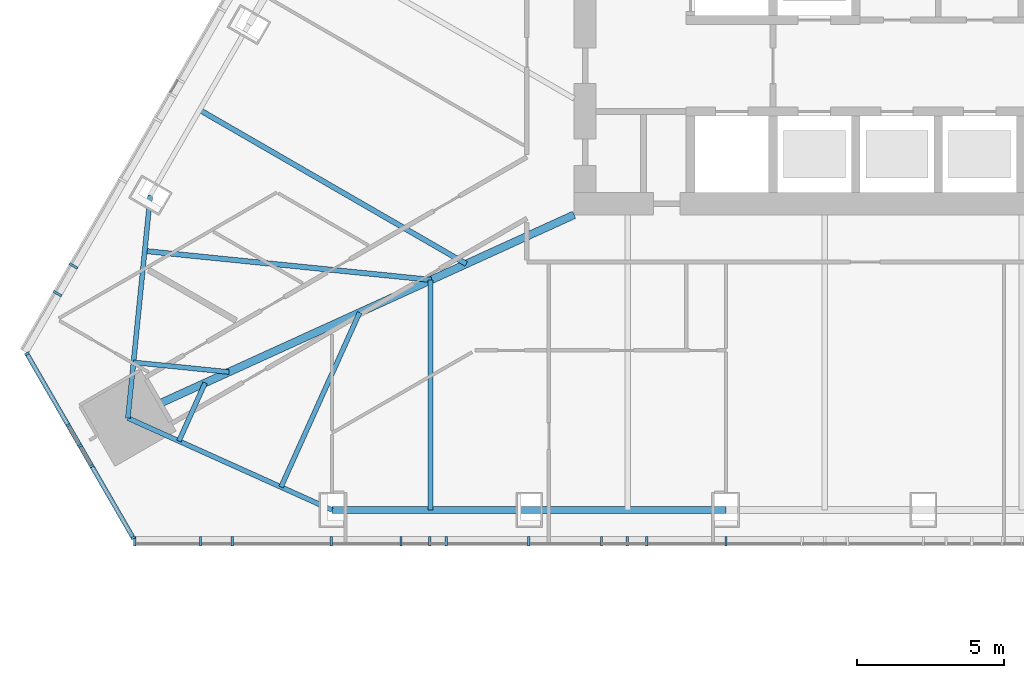
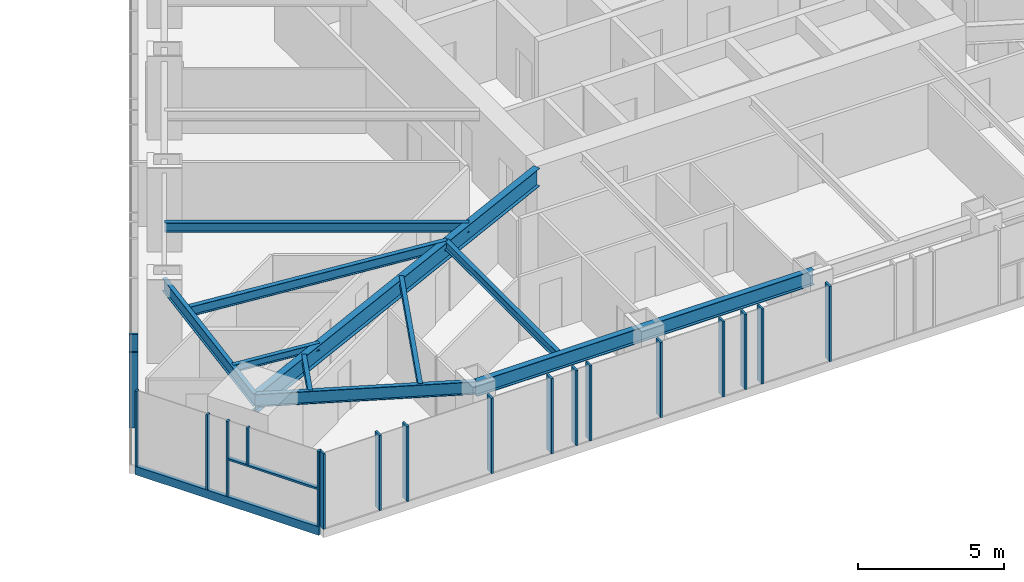
# One storey, part 2 of 24: 21 members, 10 beams, 3 elements without a shape of their own.
"""IFC4 building model written with IfcOpenShell, lengths in metres."""

from ifc_helpers import new_model, si_unit, direction, frame, origin, origin_2d, place, context, subcontext, project, spatial, rectangle, i_section, extrude, material, layer, layer_set, material_profile, profile_set, type_object, element, aggregate, save


model = new_model("IFC4")

# Units and contexts
model_context = context("Model", 3, precision=1e-05, world=origin(), true_north=direction((0.0, 1.0)))
body_context = subcontext(model_context, "Body", "Model", "MODEL_VIEW")
ifc_project = project(units=[si_unit("LENGTHUNIT", "METRE"), si_unit("AREAUNIT", "SQUARE_METRE"), si_unit("VOLUMEUNIT", "CUBIC_METRE"), si_unit("PLANEANGLEUNIT", "RADIAN"), si_unit("MASSUNIT", "GRAM", prefix="KILO")], contexts=[model_context])

# Site, building, storey
site_placement = place(None, origin())
site = spatial("IfcSite", under=ifc_project, at=site_placement, CompositionType="ELEMENT")
building_placement = place(site_placement, origin())
building = spatial("IfcBuilding", under=site, at=building_placement, Name="Firuza Gate Tower and Library", CompositionType="ELEMENT")
storey_placement = place(building_placement, frame((0.0, 0.0, 267.10009765625)))
storey = spatial("IfcBuildingStorey", under=building, at=storey_placement, Name="L63", CompositionType="ELEMENT", Elevation=267.10009765625)

# Curtain wall, members
ifc_material_1 = material(Name="Aluminium 6063-T6", Category="aluminium")
ifc_layer_1 = layer(ifc_material_1, 0.14990234375)
ifc_layer_set_1 = layer_set([ifc_layer_1], Name="Corner curtain wall, chamfers")
curtain_wall_type_1 = type_object("IfcCurtainWallType", Name="Corner curtain wall, chamfers", PredefinedType="NOTDEFINED", material=ifc_layer_set_1)
placement = place(storey_placement, origin())
curtain_wall_1 = element("IfcCurtainWall", 1, at=placement, inside=storey, type_object=curtain_wall_type_1, Name="CW4 L63 SW corner", PredefinedType="NOTDEFINED")
ifc_material_2 = material(Name="Aluminium 6063-T6", Category="aluminium")
ifc_material_profile_1 = material_profile(ifc_material_2, rectangle(XDim=0.14990234375, YDim=0.080078125, at=origin_2d()))
ifc_profile_set_1 = profile_set([ifc_material_profile_1], Name="Aluminium 6063-T6")
member_type_1 = type_object("IfcMemberType", Name="Curtain wall mullion 80x150", PredefinedType="MULLION", material=ifc_profile_set_1)
member_1_placement = place(storey_placement, frame((47.944091796875, 63.5400390625, 0.14990234375), z_axis=(0.0, 0.0, 1.0), x_axis=(0.866025403784, 0.5, 0.0)))
member_1 = element("IfcMember", 2, at=member_1_placement, type_object=member_type_1, Name="Mullion", PredefinedType="MULLION", context=body_context, shape_type="SweptSolid", body=[
    extrude(rectangle(XDim=0.14990234375, YDim=0.080078125, at=origin_2d()), origin(), (0.0, 0.0, 1.0), 3.14990234375),
])
member_2_placement = place(storey_placement, frame((49.74560546875, 60.41943359375, 0.14990234375), z_axis=(0.0, 0.0, 1.0), x_axis=(0.866025403784, 0.5, 0.0)))
member_2 = element("IfcMember", 3, at=member_2_placement, type_object=member_type_1, Name="Mullion", PredefinedType="MULLION", context=body_context, shape_type="SweptSolid", body=[
    extrude(rectangle(XDim=0.14990234375, YDim=0.080078125, at=origin_2d()), origin(), (0.0, 0.0, 1.0), 3.14990234375),
])
member_3_placement = place(storey_placement, frame((51.54736328125, 57.298828125, 0.14990234375), z_axis=(0.0, 0.0, 1.0), x_axis=(0.866025403784, 0.5, 0.0)))
member_3 = element("IfcMember", 4, at=member_3_placement, type_object=member_type_1, Name="Mullion", PredefinedType="MULLION", context=body_context, shape_type="SweptSolid", body=[
    extrude(rectangle(XDim=0.14990234375, YDim=0.080078125, at=origin_2d()), origin(), (0.0, 0.0, 1.0), 3.14990234375),
])
member_4_placement = place(storey_placement, frame((49.348388671875, 61.107666015625, 0.14990234375), z_axis=(0.0, 0.0, 1.0), x_axis=(0.866025403784, 0.5, 0.0)))
member_4 = element("IfcMember", 5, at=member_4_placement, type_object=member_type_1, Name="Mullion", PredefinedType="MULLION", context=body_context, shape_type="SweptSolid", body=[
    extrude(rectangle(XDim=0.14990234375, YDim=0.080078125, at=origin_2d()), origin(), (0.0, 0.0, 1.0), 3.14990234375),
])
member_5_placement = place(storey_placement, frame((50.14306640625, 59.731201171875, 1.764892578125), z_axis=(0.0, 0.0, 1.0), x_axis=(0.866025403784, 0.5, 0.0)))
member_5 = element("IfcMember", 6, at=member_5_placement, type_object=member_type_1, Name="Mullion", PredefinedType="MULLION", context=body_context, shape_type="SweptSolid", body=[
    extrude(rectangle(XDim=0.14990234375, YDim=0.080078125, at=origin_2d()), origin(), (0.0, 0.0, 1.0), 1.534912109375),
])

ifc_material_3 = material(Name="Aluminium 6063-T6", Category="aluminium")
ifc_layer_2 = layer(ifc_material_3, 0.14990234375)
ifc_layer_set_2 = layer_set([ifc_layer_2], Name="Unitised curtain wall, residences")
curtain_wall_type_2 = type_object("IfcCurtainWallType", Name="Unitised curtain wall, residences", PredefinedType="NOTDEFINED", material=ifc_layer_set_2)
curtain_wall_2 = element("IfcCurtainWall", 7, at=placement, inside=storey, type_object=curtain_wall_type_2, Name="CW3 L63 S face", PredefinedType="NOTDEFINED")
ifc_material_4 = material(Name="Aluminium 6063-T6", Category="aluminium")
ifc_material_profile_2 = material_profile(ifc_material_4, rectangle(XDim=0.320068359375, YDim=0.080078125, at=origin_2d()))
ifc_profile_set_2 = profile_set([ifc_material_profile_2], Name="Aluminium 6063-T6")
member_type_2 = type_object("IfcMemberType", Name="Curtain wall mullion 80x320", PredefinedType="MULLION", material=ifc_profile_set_2)
member_6_placement = place(storey_placement, frame((51.607421875, 57.17919921875, 0.14990234375), z_axis=(0.0, 0.0, 1.0), x_axis=(0.0, 1.0, 0.0)))
member_6 = element("IfcMember", 8, at=member_6_placement, type_object=member_type_2, Name="Mullion", PredefinedType="MULLION", context=body_context, shape_type="SweptSolid", body=[
    extrude(rectangle(XDim=0.320068359375, YDim=0.080078125, at=origin_2d()), origin(), (0.0, 0.0, 1.0), 3.14990234375),
])
member_7_placement = place(storey_placement, frame((54.914794921875, 57.17919921875, 0.14990234375), z_axis=(0.0, 0.0, 1.0), x_axis=(0.0, 1.0, 0.0)))
member_7 = element("IfcMember", 9, at=member_7_placement, type_object=member_type_2, Name="Mullion", PredefinedType="MULLION", context=body_context, shape_type="SweptSolid", body=[
    extrude(rectangle(XDim=0.320068359375, YDim=0.080078125, at=origin_2d()), origin(), (0.0, 0.0, 1.0), 3.14990234375),
])
member_8_placement = place(storey_placement, frame((58.262451171875, 57.17919921875, 0.14990234375), z_axis=(0.0, 0.0, 1.0), x_axis=(0.0, 1.0, 0.0)))
member_8 = element("IfcMember", 10, at=member_8_placement, type_object=member_type_2, Name="Mullion", PredefinedType="MULLION", context=body_context, shape_type="SweptSolid", body=[
    extrude(rectangle(XDim=0.320068359375, YDim=0.080078125, at=origin_2d()), origin(), (0.0, 0.0, 1.0), 3.14990234375),
])
member_9_placement = place(storey_placement, frame((61.60986328125, 57.17919921875, 0.14990234375), z_axis=(0.0, 0.0, 1.0), x_axis=(0.0, 1.0, 0.0)))
member_9 = element("IfcMember", 11, at=member_9_placement, type_object=member_type_2, Name="Mullion", PredefinedType="MULLION", context=body_context, shape_type="SweptSolid", body=[
    extrude(rectangle(XDim=0.320068359375, YDim=0.080078125, at=origin_2d()), origin(), (0.0, 0.0, 1.0), 3.14990234375),
])
member_10_placement = place(storey_placement, frame((64.95751953125, 57.17919921875, 0.14990234375), z_axis=(0.0, 0.0, 1.0), x_axis=(0.0, 1.0, 0.0)))
member_10 = element("IfcMember", 12, at=member_10_placement, type_object=member_type_2, Name="Mullion", PredefinedType="MULLION", context=body_context, shape_type="SweptSolid", body=[
    extrude(rectangle(XDim=0.320068359375, YDim=0.080078125, at=origin_2d()), origin(), (0.0, 0.0, 1.0), 3.14990234375),
])
member_11_placement = place(storey_placement, frame((68.304931640625, 57.17919921875, 0.14990234375), z_axis=(0.0, 0.0, 1.0), x_axis=(0.0, 1.0, 0.0)))
member_11 = element("IfcMember", 13, at=member_11_placement, type_object=member_type_2, Name="Mullion", PredefinedType="MULLION", context=body_context, shape_type="SweptSolid", body=[
    extrude(rectangle(XDim=0.320068359375, YDim=0.080078125, at=origin_2d()), origin(), (0.0, 0.0, 1.0), 3.14990234375),
])
member_12_placement = place(storey_placement, frame((71.652587890625, 57.17919921875, 0.14990234375), z_axis=(0.0, 0.0, 1.0), x_axis=(0.0, 1.0, 0.0)))
member_12 = element("IfcMember", 14, at=member_12_placement, type_object=member_type_2, Name="Mullion", PredefinedType="MULLION", context=body_context, shape_type="SweptSolid", body=[
    extrude(rectangle(XDim=0.320068359375, YDim=0.080078125, at=origin_2d()), origin(), (0.0, 0.0, 1.0), 3.14990234375),
])
member_13_placement = place(storey_placement, frame((53.83154296875, 57.17919921875, 0.14990234375), z_axis=(0.0, 0.0, 1.0), x_axis=(0.0, 1.0, 0.0)))
member_13 = element("IfcMember", 15, at=member_13_placement, type_object=member_type_2, Name="Mullion", PredefinedType="MULLION", context=body_context, shape_type="SweptSolid", body=[
    extrude(rectangle(XDim=0.320068359375, YDim=0.080078125, at=origin_2d()), origin(), (0.0, 0.0, 1.0), 3.14990234375),
])
member_14_placement = place(storey_placement, frame((60.631591796875, 57.17919921875, 0.14990234375), z_axis=(0.0, 0.0, 1.0), x_axis=(0.0, 1.0, 0.0)))
member_14 = element("IfcMember", 16, at=member_14_placement, type_object=member_type_2, Name="Mullion", PredefinedType="MULLION", context=body_context, shape_type="SweptSolid", body=[
    extrude(rectangle(XDim=0.320068359375, YDim=0.080078125, at=origin_2d()), origin(), (0.0, 0.0, 1.0), 3.14990234375),
])
member_15_placement = place(storey_placement, frame((62.16845703125, 57.17919921875, 0.14990234375), z_axis=(0.0, 0.0, 1.0), x_axis=(0.0, 1.0, 0.0)))
member_15 = element("IfcMember", 17, at=member_15_placement, type_object=member_type_2, Name="Mullion", PredefinedType="MULLION", context=body_context, shape_type="SweptSolid", body=[
    extrude(rectangle(XDim=0.320068359375, YDim=0.080078125, at=origin_2d()), origin(), (0.0, 0.0, 1.0), 3.14990234375),
])
member_16_placement = place(storey_placement, frame((67.431396484375, 57.17919921875, 0.14990234375), z_axis=(0.0, 0.0, 1.0), x_axis=(0.0, 1.0, 0.0)))
member_16 = element("IfcMember", 18, at=member_16_placement, type_object=member_type_2, Name="Mullion", PredefinedType="MULLION", context=body_context, shape_type="SweptSolid", body=[
    extrude(rectangle(XDim=0.320068359375, YDim=0.080078125, at=origin_2d()), origin(), (0.0, 0.0, 1.0), 3.14990234375),
])
member_17_placement = place(storey_placement, frame((68.968505859375, 57.17919921875, 0.14990234375), z_axis=(0.0, 0.0, 1.0), x_axis=(0.0, 1.0, 0.0)))
member_17 = element("IfcMember", 19, at=member_17_placement, type_object=member_type_2, Name="Mullion", PredefinedType="MULLION", context=body_context, shape_type="SweptSolid", body=[
    extrude(rectangle(XDim=0.320068359375, YDim=0.080078125, at=origin_2d()), origin(), (0.0, 0.0, 1.0), 3.14990234375),
])
aggregate(curtain_wall_2, [member_6, member_7, member_8, member_9, member_10, member_11, member_12, member_13, member_14, member_15, member_16, member_17])

curtain_wall_3 = element("IfcCurtainWall", 20, at=placement, inside=storey, type_object=curtain_wall_type_2, Name="CW3 L63 W face", PredefinedType="NOTDEFINED")
member_18_placement = place(storey_placement, frame((49.524169921875, 66.51611328125, 0.14990234375), z_axis=(0.0, 0.0, 1.0), x_axis=(0.866025403784, -0.5, 0.0)))
member_18 = element("IfcMember", 21, at=member_18_placement, type_object=member_type_2, Name="Mullion", PredefinedType="MULLION", context=body_context, shape_type="SweptSolid", body=[
    extrude(rectangle(XDim=0.320068359375, YDim=0.080078125, at=origin_2d()), origin(), (0.0, 0.0, 1.0), 3.14990234375),
])
member_19_placement = place(storey_placement, frame((48.982421875, 65.577880859375, 0.14990234375), z_axis=(0.0, 0.0, 1.0), x_axis=(0.866025403784, -0.5, 0.0)))
member_19 = element("IfcMember", 22, at=member_19_placement, type_object=member_type_2, Name="Mullion", PredefinedType="MULLION", context=body_context, shape_type="SweptSolid", body=[
    extrude(rectangle(XDim=0.320068359375, YDim=0.080078125, at=origin_2d()), origin(), (0.0, 0.0, 1.0), 3.14990234375),
])
aggregate(curtain_wall_3, [member_18, member_19])

# Member
ifc_material_5 = material(Name="Aluminium 6063-T6", Category="aluminium")
ifc_material_profile_3 = material_profile(ifc_material_5, rectangle(XDim=0.14990234375, YDim=0.35009765625, at=origin_2d()))
ifc_profile_set_3 = profile_set([ifc_material_profile_3], Name="Aluminium 6063-T6")
member_type_3 = type_object("IfcMemberType", Name="Curtain wall transom 350x150", PredefinedType="USERDEFINED", material=ifc_profile_set_3)
member_20_placement = place(storey_placement, frame((47.924072265625, 63.57470703125, -0.025146484375), z_axis=(0.499991211061, -0.866030478021, 0.0), x_axis=(0.866030478021, 0.499991211061, 0.0)))
member_20 = element("IfcMember", 23, at=member_20_placement, type_object=member_type_3, Name="Transom", ObjectType="TRANSOM", PredefinedType="USERDEFINED", context=body_context, shape_type="SweptSolid", body=[
    extrude(rectangle(XDim=0.14990234375, YDim=0.35009765625, at=origin_2d()), origin(), (0.0, 0.0, 1.0), 7.286865234375),
])

ifc_material_6 = material(Name="Aluminium 6063-T6", Category="aluminium")
ifc_material_profile_4 = material_profile(ifc_material_6, rectangle(XDim=0.14990234375, YDim=0.080078125, at=origin_2d()))
ifc_profile_set_4 = profile_set([ifc_material_profile_4], Name="Aluminium 6063-T6")
member_type_4 = type_object("IfcMemberType", Name="Curtain wall transom 80x150", PredefinedType="USERDEFINED", material=ifc_profile_set_4)
member_21_placement = place(storey_placement, frame((49.765625, 60.384765625, 1.724853515625), z_axis=(0.500015035186, -0.866016723041, 0.0), x_axis=(0.866016723041, 0.500015035186, 0.0)))
member_21 = element("IfcMember", 24, at=member_21_placement, type_object=member_type_4, Name="Transom", ObjectType="TRANSOM", PredefinedType="USERDEFINED", context=body_context, shape_type="SweptSolid", body=[
    extrude(rectangle(XDim=0.14990234375, YDim=0.080078125, at=origin_2d()), origin(), (0.0, 0.0, 1.0), 3.5634765625),
])

aggregate(curtain_wall_1, [member_1, member_2, member_3, member_20, member_4, member_5, member_21])

# Beams
ifc_material_7 = material(Name="Steel S355", Category="steel")
ifc_material_profile_5 = material_profile(ifc_material_7, i_section(OverallWidth=0.1650390625, OverallDepth=0.31005859375, WebThickness=0.005859375, FlangeThickness=0.009765625, at=origin_2d()))
ifc_profile_set_5 = profile_set([ifc_material_profile_5], Name="Steel S355")
beam_type_1 = type_object("IfcBeamType", Name="W310x39 Floor beam", PredefinedType="JOIST", material=ifc_profile_set_5)
beam_1_placement = place(storey_placement, frame((51.56005859375, 63.24560546875, 3.14501953125), z_axis=(0.994958907801, -0.100283457198, 0.0), x_axis=(0.100283457198, 0.994958907801, 0.0)))
element("IfcBeam", 25, at=beam_1_placement, inside=storey, type_object=beam_type_1, Name="Floor beam L63 s01", PredefinedType="JOIST", context=body_context, shape_type="SweptSolid", body=[
    extrude(i_section(OverallWidth=0.1650390625, OverallDepth=0.31005859375, WebThickness=0.005859375, FlangeThickness=0.009765625, at=origin_2d()), origin(), (0.0, 0.0, 1.0), 3.2548828125),
])
beam_2_placement = place(storey_placement, frame((53.1005859375, 60.577392578125, 3.14501953125), z_axis=(0.41051012012, 0.911856041971, 0.0), x_axis=(-0.911856041971, 0.41051012012, 0.0)))
element("IfcBeam", 26, at=beam_2_placement, inside=storey, type_object=beam_type_1, Name="Floor beam L63 s10", PredefinedType="JOIST", context=body_context, shape_type="SweptSolid", body=[
    extrude(i_section(OverallWidth=0.1650390625, OverallDepth=0.31005859375, WebThickness=0.005859375, FlangeThickness=0.009765625, at=origin_2d()), origin(), (0.0, 0.0, 1.0), 2.16357421875),
])
beam_3_placement = place(storey_placement, frame((56.5625, 59.0185546875, 3.14501953125), z_axis=(0.410569556243, 0.911829281986, 0.0), x_axis=(-0.911829281986, 0.410569556243, 0.0)))
element("IfcBeam", 27, at=beam_3_placement, inside=storey, type_object=beam_type_1, Name="Floor beam L63 s11", PredefinedType="JOIST", context=body_context, shape_type="SweptSolid", body=[
    extrude(i_section(OverallWidth=0.1650390625, OverallDepth=0.31005859375, WebThickness=0.005859375, FlangeThickness=0.009765625, at=origin_2d()), origin(), (0.0, 0.0, 1.0), 6.490478515625),
])
ifc_material_8 = material(Name="Steel S355", Category="steel")
ifc_material_profile_6 = material_profile(ifc_material_8, i_section(OverallWidth=0.1708984375, OverallDepth=0.35498046875, WebThickness=0.007080078125, FlangeThickness=0.01171875, at=origin_2d()))
ifc_profile_set_6 = profile_set([ifc_material_profile_6], Name="Steel S355")
beam_type_2 = type_object("IfcBeamType", Name="W360x51 Floor beam", PredefinedType="JOIST", material=ifc_profile_set_6)
beam_4_placement = place(storey_placement, frame((61.634765625, 58.2392578125, 3.122314453125), z_axis=(0.0, 1.0, 0.0), x_axis=(-1.0, 0.0, 0.0)))
element("IfcBeam", 28, at=beam_4_placement, inside=storey, type_object=beam_type_2, Name="Floor beam L63 s20", PredefinedType="JOIST", context=body_context, shape_type="SweptSolid", body=[
    extrude(i_section(OverallWidth=0.1708984375, OverallDepth=0.35498046875, WebThickness=0.007080078125, FlangeThickness=0.01171875, at=origin_2d()), origin(), (0.0, 0.0, 1.0), 7.794189453125),
])
ifc_material_9 = material(Name="Steel S355", Category="steel")
ifc_material_profile_7 = material_profile(ifc_material_9, i_section(OverallWidth=0.177978515625, OverallDepth=0.406982421875, WebThickness=0.0078125, FlangeThickness=0.0126953125, at=origin_2d()))
ifc_profile_set_7 = profile_set([ifc_material_profile_7], Name="Steel S355")
beam_type_3 = type_object("IfcBeamType", Name="W410x60 Floor beam", PredefinedType="JOIST", material=ifc_profile_set_7)
beam_5_placement = place(storey_placement, frame((51.94091796875, 67.023193359375, 3.096435546875), z_axis=(0.994953917278, -0.100332958161, 0.0), x_axis=(0.100332958161, 0.994953917278, 0.0)))
element("IfcBeam", 29, at=beam_5_placement, inside=storey, type_object=beam_type_3, Name="Floor beam L63 s00", PredefinedType="JOIST", context=body_context, shape_type="SweptSolid", body=[
    extrude(i_section(OverallWidth=0.177978515625, OverallDepth=0.406982421875, WebThickness=0.0078125, FlangeThickness=0.0126953125, at=origin_2d()), origin(), (0.0, 0.0, 1.0), 9.764892578125),
])
beam_6_placement = place(storey_placement, frame((53.802001953125, 71.8056640625, 3.096435546875), z_axis=(0.866025950195, -0.499999053588, 0.0), x_axis=(0.499999053588, 0.866025950195, 0.0)))
element("IfcBeam", 30, at=beam_6_placement, inside=storey, type_object=beam_type_3, Name="Floor beam L63 s84", PredefinedType="JOIST", context=body_context, shape_type="SweptSolid", body=[
    extrude(i_section(OverallWidth=0.177978515625, OverallDepth=0.406982421875, WebThickness=0.0078125, FlangeThickness=0.0126953125, at=origin_2d()), origin(), (0.0, 0.0, 1.0), 10.44189453125),
])
ifc_material_10 = material(Name="Steel S355", Category="steel")
ifc_material_profile_8 = material_profile(ifc_material_10, i_section(OverallWidth=0.166015625, OverallDepth=0.534912109375, WebThickness=0.01025390625, FlangeThickness=0.0166015625, at=origin_2d()))
ifc_profile_set_8 = profile_set([ifc_material_profile_8], Name="Steel S355")
beam_type_4 = type_object("IfcBeamType", Name="W530x85 Edge beam", PredefinedType="SPANDREL", material=ifc_profile_set_8)
for number, where, z_axis, x_axis, name in (
    (31, (52.13134765625, 68.911865234375, 3.032470703125), (-0.100315454149, -0.994955682259, 0.0), (0.994955682259, -0.100315454149, 0.0), "Edge beam L63 e00"),
    (32, (51.36962890625, 61.35693359375, 3.032470703125), (0.91181980498, -0.410590602969, 0.0), (0.410590602969, 0.91181980498, 0.0), "Edge beam L63 e10"),
):
    element("IfcBeam", number, at=place(storey_placement, frame(where, z_axis=z_axis, x_axis=x_axis)), inside=storey, type_object=beam_type_4, Name=name, PredefinedType="SPANDREL", context=body_context, shape_type="SweptSolid", body=[
        extrude(i_section(OverallWidth=0.166015625, OverallDepth=0.534912109375, WebThickness=0.01025390625, FlangeThickness=0.0166015625, at=origin_2d()), origin(), (0.0, 0.0, 1.0), 7.59326171875),
    ])
ifc_material_11 = material(Name="Steel S355", Category="steel")
ifc_material_profile_9 = material_profile(ifc_material_11, i_section(OverallWidth=0.22900390625, OverallDepth=0.612060546875, WebThickness=0.011962890625, FlangeThickness=0.01953125, at=origin_2d()))
ifc_profile_set_9 = profile_set([ifc_material_profile_9], Name="Steel S355")
beam_type_5 = type_object("IfcBeamType", Name="W610x125 Edge beam", PredefinedType="SPANDREL", material=ifc_profile_set_9)
beam_7_placement = place(storey_placement, frame((58.293212890625, 58.2392578125, 2.993896484375), z_axis=(1.0, 0.0, 0.0), x_axis=(0.0, 1.0, 0.0)))
element("IfcBeam", 33, at=beam_7_placement, inside=storey, type_object=beam_type_5, Name="Edge beam L63 e20", PredefinedType="SPANDREL", context=body_context, shape_type="SweptSolid", body=[
    extrude(i_section(OverallWidth=0.22900390625, OverallDepth=0.612060546875, WebThickness=0.011962890625, FlangeThickness=0.01953125, at=origin_2d()), origin(), (0.0, 0.0, 1.0), 13.365478515625),
])
ifc_material_12 = material(Name="Steel S355", Category="steel")
ifc_material_profile_10 = material_profile(ifc_material_12, i_section(OverallWidth=0.264892578125, OverallDepth=0.7529296875, WebThickness=0.01318359375, FlangeThickness=0.01708984375, at=origin_2d()))
ifc_profile_set_10 = profile_set([ifc_material_profile_10], Name="Steel S355")
beam_type_6 = type_object("IfcBeamType", Name="W760x147 Girder", PredefinedType="BEAM", material=ifc_profile_set_10)
beam_8_placement = place(storey_placement, frame((51.36962890625, 61.35693359375, 2.92333984375), z_axis=(0.910012124578, 0.414581636256, 0.0), x_axis=(-0.414581636256, 0.910012124578, 0.0)))
element("IfcBeam", 34, at=beam_8_placement, inside=storey, type_object=beam_type_6, Name="Girder L63 gSW", PredefinedType="BEAM", context=body_context, shape_type="SweptSolid", body=[
    extrude(i_section(OverallWidth=0.264892578125, OverallDepth=0.7529296875, WebThickness=0.01318359375, FlangeThickness=0.01708984375, at=origin_2d()), origin(), (0.0, 0.0, 1.0), 16.62646484375),
])

save(model, "model.ifc")
